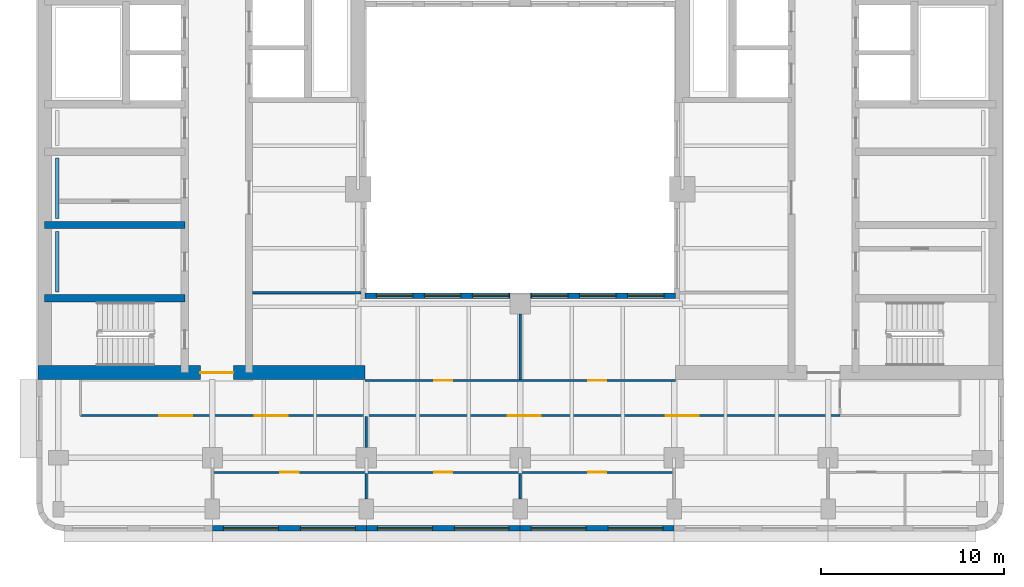
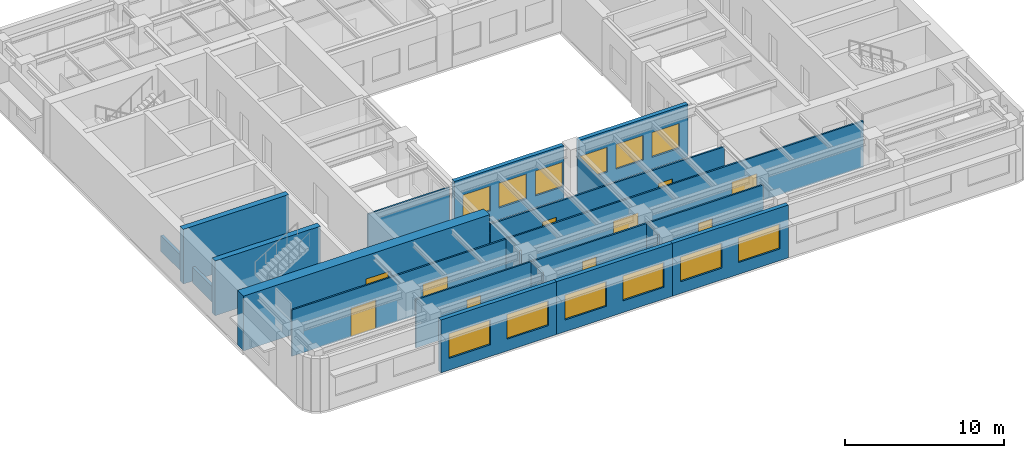
# One storey, part 3 of 11: 18 walls, 12 windows, 10 doors, 22 openings.
"""IFC4 building model written with IfcOpenShell, lengths in metres."""

import ifcopenshell
import ifcopenshell.guid

model = None  # the IFC model being written
_history = None  # IfcOwnerHistory: only IFC2X3 demands one
_inside = {}  # id of a spatial element -> (the spatial element, [elements in it])
_under = {}  # id of a project, library or spatial element -> (it, [spatial elements below it])
_declared = {}  # id of a project -> (the project, [libraries it declares])
_typed = {}  # id of a type object -> (the type object, [elements of that type])
_made_of = {}  # id of a material, layer set ... -> (it, [elements and type objects made of it])


def new_model(schema):
    """Start an empty IFC model of exactly this schema.

    Asked for "IFC4X3", IfcOpenShell would pick the latest addendum, in which some entities
    have other attributes; the version numbers below select the first issue.
    IFC2X3 requires an IfcOwnerHistory on every rooted entity: one is made here for all.
    """
    global model, _history
    if schema == "IFC4X3":
        model = ifcopenshell.file(schema_version=(4, 3, 0, 0))
    else:
        model = ifcopenshell.file(schema=schema)
    _inside.clear()
    _under.clear()
    _declared.clear()
    _typed.clear()
    _made_of.clear()
    _history = None
    if model.schema == "IFC2X3":
        org = make("IfcOrganization", Name="unknown")
        user = make(
            "IfcPersonAndOrganization",
            ThePerson=make("IfcPerson", FamilyName="unknown"),
            TheOrganization=org,
        )
        app = make(
            "IfcApplication",
            ApplicationDeveloper=org,
            Version="unknown",
            ApplicationFullName="unknown",
            ApplicationIdentifier="unknown",
        )
        _history = make(
            "IfcOwnerHistory",
            OwningUser=user,
            OwningApplication=app,
            ChangeAction="ADDED",
            CreationDate=0,
        )
    return model


def make(cls, **values):
    """One entity of the class cls with the attributes given. An attribute that is None is left unset."""
    return model.create_entity(
        cls, **{name: value for name, value in values.items() if value is not None}
    )


def rooted(cls, **values):
    """An entity with a GlobalId (a new one), such as an element, a storey or a relation."""
    return make(cls, GlobalId=ifcopenshell.guid.new(), OwnerHistory=_history, **values)


def si_unit(unit_type, name, prefix=None):
    """IfcSIUnit, for example si_unit("LENGTHUNIT", "METRE", prefix="MILLI")."""
    return make("IfcSIUnit", UnitType=unit_type, Prefix=prefix, Name=name)


def assignment(units):
    """IfcUnitAssignment: the units of a project."""
    return None if units is None else make("IfcUnitAssignment", Units=units)


def point(xyz):
    """IfcCartesianPoint."""
    return None if xyz is None else make("IfcCartesianPoint", Coordinates=xyz)


def direction(xyz):
    """IfcDirection."""
    return None if xyz is None else make("IfcDirection", DirectionRatios=xyz)


def frame(location, z_axis=None, x_axis=None):
    """IfcAxis2Placement3D, a coordinate frame: its origin and axes. An axis left out is left unset."""
    return make(
        "IfcAxis2Placement3D",
        Location=point(location),
        Axis=direction(z_axis),
        RefDirection=direction(x_axis),
    )


def frame_2d(location, x_axis=None):
    """IfcAxis2Placement2D, a coordinate frame in the plane: its origin and x axis."""
    return make(
        "IfcAxis2Placement2D", Location=point(location), RefDirection=direction(x_axis)
    )


def origin():
    """The frame at (0, 0, 0) with its axes left unset."""
    return frame((0.0, 0.0, 0.0))


def place(relative_to, where):
    """IfcLocalPlacement: puts the frame where relative to a parent placement (None: the world)."""
    return make(
        "IfcLocalPlacement", PlacementRelTo=relative_to, RelativePlacement=where
    )


def context(
    kind, dimensions, precision=None, world=None, true_north=None, identifier=None
):
    """IfcGeometricRepresentationContext, for example the 3D "Model" context."""
    return make(
        "IfcGeometricRepresentationContext",
        ContextIdentifier=identifier,
        ContextType=kind,
        CoordinateSpaceDimension=dimensions,
        Precision=precision,
        WorldCoordinateSystem=world,
        TrueNorth=true_north,
    )


def subcontext(parent, identifier, kind, view, scale=None):
    """IfcGeometricRepresentationSubContext, for example "Body" below "Model"."""
    return make(
        "IfcGeometricRepresentationSubContext",
        ContextIdentifier=identifier,
        ContextType=kind,
        ParentContext=parent,
        TargetScale=scale,
        TargetView=view,
    )


def project(units=None, contexts=None):
    """IfcProject with its units and contexts."""
    return rooted(
        "IfcProject",
        Name="project",
        RepresentationContexts=contexts,
        UnitsInContext=assignment(units),
    )


def spatial(cls, under=None, at=None, **own):
    """A site, building, storey or space (cls), placed at a placement, below another one or the project."""
    s = rooted(cls, ObjectPlacement=at, **own)
    if under is not None:
        _under.setdefault(under.id(), (under, []))[1].append(s)
    return s


def profile(cls, at=None, kind="AREA", **sizes):
    """A parametric profile (cls). Its sizes go by their IFC names, for example OverallWidth=200.0."""
    return make(cls, ProfileType=kind, Position=at, **sizes)


def rectangle(**sizes):
    """IfcRectangleProfileDef."""
    return profile("IfcRectangleProfileDef", **sizes)


def extrude(swept, where, along, depth):
    """IfcExtrudedAreaSolid: the profile swept, set in the frame where, extruded along a direction by depth."""
    return make(
        "IfcExtrudedAreaSolid",
        SweptArea=swept,
        Position=where,
        ExtrudedDirection=direction(along),
        Depth=depth,
    )


def shape(context_of_items, identifier, shape_type, items):
    """IfcShapeRepresentation: the items that make up one representation, for example the "Body"."""
    return make(
        "IfcShapeRepresentation",
        ContextOfItems=context_of_items,
        RepresentationIdentifier=identifier,
        RepresentationType=shape_type,
        Items=items,
    )


def material(Name=None, Category=None):
    """IfcMaterial."""
    return make("IfcMaterial", Name=Name, Category=Category)


def layer(
    of_material, thickness, ventilated=None, Name=None, Category=None, Priority=None
):
    """IfcMaterialLayer: one layer of a wall or slab, of a material (None: an air gap)."""
    return make(
        "IfcMaterialLayer",
        Material=of_material,
        LayerThickness=thickness,
        IsVentilated=ventilated,
        Name=Name,
        Category=Category,
        Priority=Priority,
    )


def layer_set(layers, Name=None):
    """IfcMaterialLayerSet."""
    return make("IfcMaterialLayerSet", MaterialLayers=layers, LayerSetName=Name)


def made_of(thing, what):
    """Note that an element or type object is made of a material, layer set ...; save() writes the relation."""
    if what is not None:
        _made_of.setdefault(what.id(), (what, []))[1].append(thing)
    return thing


def type_object(cls, material=None, **own):
    """A type object (cls), such as IfcWallType, which elements share."""
    return made_of(rooted(cls, **own), material)


def element(
    cls,
    number,
    at=None,
    inside=None,
    cuts=None,
    type_object=None,
    material=None,
    context=None,
    identifier="Body",
    shape_type=None,
    held_by="IfcProductDefinitionShape",
    body=None,
    shapes=None,
    **own,
):
    """One element of the class cls, such as IfcWall. Its Tag is "e" and its number.

    at: its placement. inside: the storey or other place that contains it. cuts: it is an
    opening in that element (IfcRelVoidsElement). A single representation is given by context,
    identifier, shape_type and body (its items); several are given by shapes. held_by: the class
    of the entity that holds the representations. save() writes the other relations.
    """
    e = rooted(cls, Tag="e%d" % number, ObjectPlacement=at, **own)
    if body is not None:
        shapes = [shape(context, identifier, shape_type, body)]
    if shapes is not None:
        e.Representation = make(held_by, Representations=shapes)
    if inside is not None:
        _inside.setdefault(inside.id(), (inside, []))[1].append(e)
    if cuts is not None:
        rooted(
            "IfcRelVoidsElement", RelatingBuildingElement=cuts, RelatedOpeningElement=e
        )
    if type_object is not None:
        _typed.setdefault(type_object.id(), (type_object, []))[1].append(e)
    return made_of(e, material)


def fill(opening, filler):
    """IfcRelFillsElement: the door or window that sits in an opening."""
    return rooted(
        "IfcRelFillsElement",
        RelatingOpeningElement=opening,
        RelatedBuildingElement=filler,
    )


def aggregate(whole, parts):
    """IfcRelAggregates: a whole, such as a stair, and the parts it consists of."""
    return rooted("IfcRelAggregates", RelatingObject=whole, RelatedObjects=parts)


def save(model, path):
    """Write the relations noted so far, then the file.

    IfcRelAggregates (storeys below a building ...), IfcRelContainedInSpatialStructure (elements
    in a storey), IfcRelDefinesByType, IfcRelAssociatesMaterial and IfcRelDeclares: one each for
    every whole, place, type object, material and project.
    """
    for whole, parts in _under.values():
        aggregate(whole, parts)
    for where, things in _inside.values():
        rooted(
            "IfcRelContainedInSpatialStructure",
            RelatedElements=things,
            RelatingStructure=where,
        )
    for kind, things in _typed.values():
        rooted("IfcRelDefinesByType", RelatedObjects=things, RelatingType=kind)
    for what, things in _made_of.values():
        rooted("IfcRelAssociatesMaterial", RelatedObjects=things, RelatingMaterial=what)
    for by, libraries in _declared.values():
        rooted("IfcRelDeclares", RelatingContext=by, RelatedDefinitions=libraries)
    model.write(path)


model = new_model("IFC4")

# Units and contexts
model_context = context("Model", 3, precision=1e-05, world=origin(), true_north=direction((0.0, 1.0)))
body_context = subcontext(model_context, "Body", "Model", "MODEL_VIEW")
ifc_project = project(units=[si_unit("LENGTHUNIT", "METRE"), si_unit("AREAUNIT", "SQUARE_METRE"), si_unit("VOLUMEUNIT", "CUBIC_METRE"), si_unit("PLANEANGLEUNIT", "RADIAN"), si_unit("MASSUNIT", "GRAM", prefix="KILO")], contexts=[model_context])

# Site, building, storey
site_placement = place(None, origin())
site = spatial("IfcSite", under=ifc_project, at=site_placement, CompositionType="ELEMENT")
building_placement = place(site_placement, origin())
building = spatial("IfcBuilding", under=site, at=building_placement, Name="Claustro Exchange Tower", CompositionType="ELEMENT")
storey_placement = place(building_placement, frame((0.0, 0.0, 215.39990234375)))
storey = spatial("IfcBuildingStorey", under=building, at=storey_placement, Name="L49", CompositionType="ELEMENT", Elevation=215.39990234375)

# Wall
ifc_material_1 = material(Name="Laminated glass in aluminium frame", Category="aluminium")
ifc_layer_1 = layer(ifc_material_1, 0.1201171875)
ifc_layer_set_1 = layer_set([ifc_layer_1], Name="Laminated glass in aluminium frame")
wall_type_1 = type_object("IfcWallType", Name="P2 120 glazed partition", PredefinedType="PARTITIONING", material=ifc_layer_set_1)
wall_1_placement = place(storey_placement, frame((10.597900390625, 17.39990234375, 0.0), z_axis=(0.0, 0.0, 1.0), x_axis=(1.0, 0.0, 0.0)))
element("IfcWall", 1, at=wall_1_placement, inside=storey, type_object=wall_type_1, Name="Partition P2 L49", PredefinedType="PARTITIONING", context=body_context, shape_type="SweptSolid", body=[
    extrude(rectangle(XDim=5.904052734375, YDim=0.1201171875, at=frame_2d((2.9521484375, 0.0))), origin(), (0.0, 0.0, 1.0), 3.550048828125),
])

# Wall, openings, doors
wall_2_placement = place(storey_placement, frame((8.39990234375, 7.60009765625, 0.0), z_axis=(0.0, 0.0, 1.0), x_axis=(1.0, 0.0, 0.0)))
wall_2 = element("IfcWall", 2, at=wall_2_placement, inside=storey, type_object=wall_type_1, Name="Partition P2 L49", PredefinedType="PARTITIONING", context=body_context, shape_type="SweptSolid", body=[
    extrude(rectangle(XDim=25.2001953125, YDim=0.1201171875, at=frame_2d((12.60009765625, 0.0))), origin(), (0.0, 0.0, 1.0), 3.690185546875),
])
opening_1_placement = place(wall_2_placement, frame((3.699951171875, 0.0, 0.0)))
opening_1 = element("IfcOpeningElement", 3, at=opening_1_placement, cuts=wall_2, Name="Opening D7", PredefinedType="OPENING", context=body_context, shape_type="SweptSolid", body=[
    extrude(rectangle(XDim=1.0, YDim=2.39990234375, at=frame_2d((0.5, 1.199951171875))), frame((0.0, 0.070068359375, 0.0), z_axis=(0.0, -1.0, 0.0), x_axis=(1.0, 0.0, 0.0)), (0.0, 0.0, 1.0), 0.14013671875),
])
opening_2_placement = place(wall_2_placement, frame((12.10009765625, 0.0, 0.0)))
opening_2 = element("IfcOpeningElement", 4, at=opening_2_placement, cuts=wall_2, Name="Opening D7", PredefinedType="OPENING", context=body_context, shape_type="SweptSolid", body=[
    extrude(rectangle(XDim=1.0, YDim=2.39990234375, at=frame_2d((0.5, 1.199951171875))), frame((0.0, 0.070068359375, 0.0), z_axis=(0.0, -1.0, 0.0), x_axis=(1.0, 0.0, 0.0)), (0.0, 0.0, 1.0), 0.14013671875),
])
opening_3_placement = place(wall_2_placement, frame((20.5, 0.0, 0.0)))
opening_3 = element("IfcOpeningElement", 5, at=opening_3_placement, cuts=wall_2, Name="Opening D7", PredefinedType="OPENING", context=body_context, shape_type="SweptSolid", body=[
    extrude(rectangle(XDim=1.0, YDim=2.39990234375, at=frame_2d((0.5, 1.199951171875))), frame((0.0, 0.070068359375, 0.0), z_axis=(0.0, -1.0, 0.0), x_axis=(1.0, 0.0, 0.0)), (0.0, 0.0, 1.0), 0.14013671875),
])
ifc_material_2 = material(Name="Glass door in aluminium frame", Category="aluminium")
door_type_1 = type_object("IfcDoorType", Name="D7 1000 x 2400 glazed door", OperationType="SINGLE_SWING_LEFT", PredefinedType="DOOR", material=ifc_material_2)
door_1_placement = place(opening_1_placement, frame((1.0, 0.0, 0.0), z_axis=(0.0, 0.0, 1.0), x_axis=(-1.0, 0.0, 0.0)))
door_1 = element("IfcDoor", 6, at=door_1_placement, inside=storey, type_object=door_type_1, Name="Door D7 L49", OperationType="SINGLE_SWING_RIGHT", OverallHeight=2.39990234375, OverallWidth=1.0, PredefinedType="DOOR", context=body_context, shape_type="SweptSolid", body=[
    extrude(rectangle(XDim=1.0, YDim=2.39990234375, at=frame_2d((0.5, 1.199951171875))), frame((0.0, 0.02490234375, 0.0), z_axis=(0.0, -1.0, 0.0), x_axis=(1.0, 0.0, 0.0)), (0.0, 0.0, 1.0), 0.050048828125),
])
fill(opening_1, door_1)
door_2_placement = place(opening_2_placement, frame((1.0, 0.0, 0.0), z_axis=(0.0, 0.0, 1.0), x_axis=(-1.0, 0.0, 0.0)))
door_2 = element("IfcDoor", 7, at=door_2_placement, inside=storey, type_object=door_type_1, Name="Door D7 L49", OperationType="SINGLE_SWING_LEFT", OverallHeight=2.39990234375, OverallWidth=1.0, PredefinedType="DOOR", context=body_context, shape_type="SweptSolid", body=[
    extrude(rectangle(XDim=1.0, YDim=2.39990234375, at=frame_2d((0.5, 1.199951171875))), frame((0.0, 0.02490234375, 0.0), z_axis=(0.0, -1.0, 0.0), x_axis=(1.0, 0.0, 0.0)), (0.0, 0.0, 1.0), 0.050048828125),
])
fill(opening_2, door_2)
door_3_placement = place(opening_3_placement, frame((1.0, 0.0, 0.0), z_axis=(0.0, 0.0, 1.0), x_axis=(-1.0, 0.0, 0.0)))
door_3 = element("IfcDoor", 8, at=door_3_placement, inside=storey, type_object=door_type_1, Name="Door D7 L49", OperationType="SINGLE_SWING_RIGHT", OverallHeight=2.39990234375, OverallWidth=1.0, PredefinedType="DOOR", context=body_context, shape_type="SweptSolid", body=[
    extrude(rectangle(XDim=1.0, YDim=2.39990234375, at=frame_2d((0.5, 1.199951171875))), frame((0.0, 0.02490234375, 0.0), z_axis=(0.0, -1.0, 0.0), x_axis=(1.0, 0.0, 0.0)), (0.0, 0.0, 1.0), 0.050048828125),
])
fill(opening_3, door_3)

# Walls
for number, where, z_axis, x_axis, name in (
    (9, (16.800048828125, 6.14892578125, 0.0), (0.0, 0.0, 1.0), (0.0, 1.0, 0.0), "Partition P2 L49"),
    (10, (25.199951171875, 6.14892578125, 0.0), (0.0, 0.0, 1.0), (0.0, 1.0, 0.0), "Partition P2 L49"),
):
    element("IfcWall", number, at=place(storey_placement, frame(where, z_axis=z_axis, x_axis=x_axis)), inside=storey, type_object=wall_type_1, Name=name, PredefinedType="PARTITIONING", context=body_context, shape_type="SweptSolid", body=[
        extrude(rectangle(XDim=1.39306640625, YDim=0.1201171875, at=frame_2d((0.696533203125, 0.0))), origin(), (0.0, 0.0, 1.0), 3.690185546875),
    ])
wall_3_placement = place(storey_placement, frame((16.800048828125, 8.948974609375, 0.0), z_axis=(0.0, 0.0, 1.0), x_axis=(0.0, 1.0, 0.0)))
element("IfcWall", 11, at=wall_3_placement, inside=storey, type_object=wall_type_1, Name="Partition P2 L49", PredefinedType="PARTITIONING", context=body_context, shape_type="SweptSolid", body=[
    extrude(rectangle(XDim=1.693115234375, YDim=0.1201171875, at=frame_2d((0.8466796875, 0.0))), origin(), (0.0, 0.0, 1.0), 3.690185546875),
])

# Wall, openings, doors
wall_4_placement = place(storey_placement, frame((1.199951171875, 10.699951171875, 0.0), z_axis=(0.0, 0.0, 1.0), x_axis=(1.0, 0.0, 0.0)))
wall_4 = element("IfcWall", 12, at=wall_4_placement, inside=storey, type_object=wall_type_1, Name="Partition P2 L49", PredefinedType="PARTITIONING", context=body_context, shape_type="SweptSolid", body=[
    extrude(rectangle(XDim=41.4521484375, YDim=0.1201171875, at=frame_2d((20.72607421875, 0.0))), origin(), (0.0, 0.0, 1.0), 3.550048828125),
])
opening_4_placement = place(wall_4_placement, frame((4.300048828125, 0.0, 0.0)))
opening_4 = element("IfcOpeningElement", 13, at=opening_4_placement, cuts=wall_4, Name="Opening D2", PredefinedType="OPENING", context=body_context, shape_type="SweptSolid", body=[
    extrude(rectangle(XDim=1.800048828125, YDim=2.199951171875, at=frame_2d((0.89990234375, 1.10009765625))), frame((0.0, 0.070068359375, 0.0), z_axis=(0.0, -1.0, 0.0), x_axis=(1.0, 0.0, 0.0)), (0.0, 0.0, 1.0), 0.14013671875),
])
opening_5_placement = place(wall_4_placement, frame((9.5, 0.0, 0.0)))
opening_5 = element("IfcOpeningElement", 14, at=opening_5_placement, cuts=wall_4, Name="Opening D2", PredefinedType="OPENING", context=body_context, shape_type="SweptSolid", body=[
    extrude(rectangle(XDim=1.800048828125, YDim=2.199951171875, at=frame_2d((0.89990234375, 1.10009765625))), frame((0.0, 0.070068359375, 0.0), z_axis=(0.0, -1.0, 0.0), x_axis=(1.0, 0.0, 0.0)), (0.0, 0.0, 1.0), 0.14013671875),
])
opening_6_placement = place(wall_4_placement, frame((23.316650390625, 0.0, 0.0)))
opening_6 = element("IfcOpeningElement", 15, at=opening_6_placement, cuts=wall_4, Name="Opening D2", PredefinedType="OPENING", context=body_context, shape_type="SweptSolid", body=[
    extrude(rectangle(XDim=1.800048828125, YDim=2.199951171875, at=frame_2d((0.89990234375, 1.10009765625))), frame((0.0, 0.070068359375, 0.0), z_axis=(0.0, -1.0, 0.0), x_axis=(1.0, 0.0, 0.0)), (0.0, 0.0, 1.0), 0.14013671875),
])
opening_7_placement = place(wall_4_placement, frame((31.933349609375, 0.0, 0.0)))
opening_7 = element("IfcOpeningElement", 16, at=opening_7_placement, cuts=wall_4, Name="Opening D2", PredefinedType="OPENING", context=body_context, shape_type="SweptSolid", body=[
    extrude(rectangle(XDim=1.800048828125, YDim=2.199951171875, at=frame_2d((0.89990234375, 1.10009765625))), frame((0.0, 0.070068359375, 0.0), z_axis=(0.0, -1.0, 0.0), x_axis=(1.0, 0.0, 0.0)), (0.0, 0.0, 1.0), 0.14013671875),
])
ifc_material_3 = material(Name="Timber door, oak veneer", Category="wood")
door_type_2 = type_object("IfcDoorType", Name="D2 1800 x 2200 double door", OperationType="DOUBLE_DOOR_SINGLE_SWING", PredefinedType="DOOR", material=ifc_material_3)
door_4_placement = place(opening_4_placement, frame((1.800048828125, 0.0, 0.0), z_axis=(0.0, 0.0, 1.0), x_axis=(-1.0, 0.0, 0.0)))
door_4 = element("IfcDoor", 17, at=door_4_placement, inside=storey, type_object=door_type_2, Name="Double door D2 L49", OperationType="DOUBLE_DOOR_SINGLE_SWING", OverallHeight=2.199951171875, OverallWidth=1.800048828125, PredefinedType="DOOR", context=body_context, shape_type="SweptSolid", body=[
    extrude(rectangle(XDim=1.800048828125, YDim=2.199951171875, at=frame_2d((0.89990234375, 1.10009765625))), frame((0.0, 0.02490234375, 0.0), z_axis=(0.0, -1.0, 0.0), x_axis=(1.0, 0.0, 0.0)), (0.0, 0.0, 1.0), 0.050048828125),
])
fill(opening_4, door_4)
door_5_placement = place(opening_5_placement, frame((1.800048828125, 0.0, 0.0), z_axis=(0.0, 0.0, 1.0), x_axis=(-1.0, 0.0, 0.0)))
door_5 = element("IfcDoor", 18, at=door_5_placement, inside=storey, type_object=door_type_2, Name="Double door D2 L49", OperationType="DOUBLE_DOOR_SINGLE_SWING", OverallHeight=2.199951171875, OverallWidth=1.800048828125, PredefinedType="DOOR", context=body_context, shape_type="SweptSolid", body=[
    extrude(rectangle(XDim=1.800048828125, YDim=2.199951171875, at=frame_2d((0.89990234375, 1.10009765625))), frame((0.0, 0.02490234375, 0.0), z_axis=(0.0, -1.0, 0.0), x_axis=(1.0, 0.0, 0.0)), (0.0, 0.0, 1.0), 0.050048828125),
])
fill(opening_5, door_5)
door_6_placement = place(opening_6_placement, frame((1.800048828125, 0.0, 0.0), z_axis=(0.0, 0.0, 1.0), x_axis=(-1.0, 0.0, 0.0)))
door_6 = element("IfcDoor", 19, at=door_6_placement, inside=storey, type_object=door_type_2, Name="Double door D2 L49", OperationType="DOUBLE_DOOR_SINGLE_SWING", OverallHeight=2.199951171875, OverallWidth=1.800048828125, PredefinedType="DOOR", context=body_context, shape_type="SweptSolid", body=[
    extrude(rectangle(XDim=1.800048828125, YDim=2.199951171875, at=frame_2d((0.89990234375, 1.10009765625))), frame((0.0, 0.02490234375, 0.0), z_axis=(0.0, -1.0, 0.0), x_axis=(1.0, 0.0, 0.0)), (0.0, 0.0, 1.0), 0.050048828125),
])
fill(opening_6, door_6)
door_7_placement = place(opening_7_placement, frame((1.800048828125, 0.0, 0.0), z_axis=(0.0, 0.0, 1.0), x_axis=(-1.0, 0.0, 0.0)))
door_7 = element("IfcDoor", 20, at=door_7_placement, inside=storey, type_object=door_type_2, Name="Double door D2 L49", OperationType="DOUBLE_DOOR_SINGLE_SWING", OverallHeight=2.199951171875, OverallWidth=1.800048828125, PredefinedType="DOOR", context=body_context, shape_type="SweptSolid", body=[
    extrude(rectangle(XDim=1.800048828125, YDim=2.199951171875, at=frame_2d((0.89990234375, 1.10009765625))), frame((0.0, 0.02490234375, 0.0), z_axis=(0.0, -1.0, 0.0), x_axis=(1.0, 0.0, 0.0)), (0.0, 0.0, 1.0), 0.050048828125),
])
fill(opening_7, door_7)

# Wall
wall_5_placement = place(storey_placement, frame((25.199951171875, 12.657958984375, 0.0), z_axis=(0.0, 0.0, 1.0), x_axis=(0.0, 1.0, 0.0)))
element("IfcWall", 21, at=wall_5_placement, inside=storey, type_object=wall_type_1, Name="Partition P2 L49", PredefinedType="PARTITIONING", context=body_context, shape_type="SweptSolid", body=[
    extrude(rectangle(XDim=3.593017578125, YDim=0.1201171875, at=frame_2d((1.79638671875, 0.0))), origin(), (0.0, 0.0, 1.0), 3.550048828125),
])

# Wall, openings, doors
wall_6_placement = place(storey_placement, frame((16.72509765625, 12.614990234375, 0.0), z_axis=(0.0, 0.0, 1.0), x_axis=(1.0, 0.0, 0.0)))
wall_6 = element("IfcWall", 22, at=wall_6_placement, inside=storey, type_object=wall_type_1, Name="Partition P2 L49", PredefinedType="PARTITIONING", context=body_context, shape_type="SweptSolid", body=[
    extrude(rectangle(XDim=16.949951171875, YDim=0.1201171875, at=frame_2d((8.47509765625, 0.0))), origin(), (0.0, 0.0, 1.0), 3.550048828125),
])
opening_8_placement = place(wall_6_placement, frame((3.77490234375, 0.0, 0.0)))
opening_8 = element("IfcOpeningElement", 23, at=opening_8_placement, cuts=wall_6, Name="Opening D7", PredefinedType="OPENING", context=body_context, shape_type="SweptSolid", body=[
    extrude(rectangle(XDim=1.0, YDim=2.39990234375, at=frame_2d((0.5, 1.199951171875))), frame((0.0, 0.070068359375, 0.0), z_axis=(0.0, -1.0, 0.0), x_axis=(1.0, 0.0, 0.0)), (0.0, 0.0, 1.0), 0.14013671875),
])
opening_9_placement = place(wall_6_placement, frame((12.175048828125, 0.0, 0.0)))
opening_9 = element("IfcOpeningElement", 24, at=opening_9_placement, cuts=wall_6, Name="Opening D7", PredefinedType="OPENING", context=body_context, shape_type="SweptSolid", body=[
    extrude(rectangle(XDim=1.0, YDim=2.39990234375, at=frame_2d((0.5, 1.199951171875))), frame((0.0, 0.070068359375, 0.0), z_axis=(0.0, -1.0, 0.0), x_axis=(1.0, 0.0, 0.0)), (0.0, 0.0, 1.0), 0.14013671875),
])
door_8_placement = place(opening_8_placement, origin())
door_8 = element("IfcDoor", 25, at=door_8_placement, inside=storey, type_object=door_type_1, Name="Door D7 L49", OperationType="SINGLE_SWING_RIGHT", OverallHeight=2.39990234375, OverallWidth=1.0, PredefinedType="DOOR", context=body_context, shape_type="SweptSolid", body=[
    extrude(rectangle(XDim=1.0, YDim=2.39990234375, at=frame_2d((0.5, 1.199951171875))), frame((0.0, 0.02490234375, 0.0), z_axis=(0.0, -1.0, 0.0), x_axis=(1.0, 0.0, 0.0)), (0.0, 0.0, 1.0), 0.050048828125),
])
fill(opening_8, door_8)
door_9_placement = place(opening_9_placement, origin())
door_9 = element("IfcDoor", 26, at=door_9_placement, inside=storey, type_object=door_type_1, Name="Door D7 L49", OperationType="SINGLE_SWING_RIGHT", OverallHeight=2.39990234375, OverallWidth=1.0, PredefinedType="DOOR", context=body_context, shape_type="SweptSolid", body=[
    extrude(rectangle(XDim=1.0, YDim=2.39990234375, at=frame_2d((0.5, 1.199951171875))), frame((0.0, 0.02490234375, 0.0), z_axis=(0.0, -1.0, 0.0), x_axis=(1.0, 0.0, 0.0)), (0.0, 0.0, 1.0), 0.050048828125),
])
fill(opening_9, door_9)

# Wall, openings, windows
ifc_material_4 = material(Name="Concrete HA-40 (C40/50), precast, white cement, acid-etched", Category="concrete")
ifc_layer_2 = layer(ifc_material_4, 0.300048828125)
ifc_layer_set_2 = layer_set([ifc_layer_2], Name="Concrete HA-40 (C40/50), precast, white cement, acid-etched")
wall_type_2 = type_object("IfcWallType", Name="PC1 300 precast concrete pier panel", PredefinedType="SOLIDWALL", material=ifc_layer_set_2)
wall_7_placement = place(storey_placement, frame((33.60009765625, 4.550048828125, 0.0), z_axis=(0.0, 0.0, 1.0), x_axis=(-1.0, 0.0, 0.0)))
wall_7 = element("IfcWall", 27, at=wall_7_placement, inside=storey, type_object=wall_type_2, Name="Precast pier panel PC1 L49", PredefinedType="SOLIDWALL", context=body_context, shape_type="SweptSolid", body=[
    extrude(rectangle(XDim=8.400146484375, YDim=0.300048828125, at=frame_2d((4.2001953125, 0.0))), origin(), (0.0, 0.0, 1.0), 4.050048828125),
])
opening_10_placement = place(wall_7_placement, frame((0.60009765625, 0.0, 0.89990234375)))
opening_10 = element("IfcOpeningElement", 28, at=opening_10_placement, cuts=wall_7, Name="Opening W1", PredefinedType="OPENING", context=body_context, shape_type="SweptSolid", body=[
    extrude(rectangle(XDim=3.0, YDim=1.89990234375, at=frame_2d((1.5, 0.949951171875))), frame((0.0, 0.159912109375, 0.0), z_axis=(0.0, -1.0, 0.0), x_axis=(1.0, 0.0, 0.0)), (0.0, 0.0, 1.0), 0.320068359375),
])
opening_11_placement = place(wall_7_placement, frame((4.800048828125, 0.0, 0.89990234375)))
opening_11 = element("IfcOpeningElement", 29, at=opening_11_placement, cuts=wall_7, Name="Opening W1", PredefinedType="OPENING", context=body_context, shape_type="SweptSolid", body=[
    extrude(rectangle(XDim=3.0, YDim=1.89990234375, at=frame_2d((1.5, 0.949951171875))), frame((0.0, 0.159912109375, 0.0), z_axis=(0.0, -1.0, 0.0), x_axis=(1.0, 0.0, 0.0)), (0.0, 0.0, 1.0), 0.320068359375),
])
ifc_material_5 = material(Name="Aluminium frame, clear double glazing", Category="aluminium")
window_type_1 = type_object("IfcWindowType", Name="W1 3000 x 1900 window", PartitioningType="SINGLE_PANEL", PredefinedType="WINDOW", material=ifc_material_5)
window_1_placement = place(opening_10_placement, origin())
window_1 = element("IfcWindow", 30, at=window_1_placement, inside=storey, type_object=window_type_1, Name="Window W1 L49", OverallHeight=1.89990234375, OverallWidth=3.0, PartitioningType="SINGLE_PANEL", PredefinedType="WINDOW", context=body_context, shape_type="SweptSolid", body=[
    extrude(rectangle(XDim=3.0, YDim=1.89990234375, at=frame_2d((1.5, 0.949951171875))), frame((0.0, 0.030029296875, 0.0), z_axis=(0.0, -1.0, 0.0), x_axis=(1.0, 0.0, 0.0)), (0.0, 0.0, 1.0), 0.06005859375),
])
fill(opening_10, window_1)
window_2_placement = place(opening_11_placement, origin())
window_2 = element("IfcWindow", 31, at=window_2_placement, inside=storey, type_object=window_type_1, Name="Window W1 L49", OverallHeight=1.89990234375, OverallWidth=3.0, PartitioningType="SINGLE_PANEL", PredefinedType="WINDOW", context=body_context, shape_type="SweptSolid", body=[
    extrude(rectangle(XDim=3.0, YDim=1.89990234375, at=frame_2d((1.5, 0.949951171875))), frame((0.0, 0.030029296875, 0.0), z_axis=(0.0, -1.0, 0.0), x_axis=(1.0, 0.0, 0.0)), (0.0, 0.0, 1.0), 0.06005859375),
])
fill(opening_11, window_2)

wall_8_placement = place(storey_placement, frame((25.199951171875, 4.550048828125, 0.0), z_axis=(0.0, 0.0, 1.0), x_axis=(-1.0, 0.0, 0.0)))
wall_8 = element("IfcWall", 32, at=wall_8_placement, inside=storey, type_object=wall_type_2, Name="Precast pier panel PC1 L49", PredefinedType="SOLIDWALL", context=body_context, shape_type="SweptSolid", body=[
    extrude(rectangle(XDim=8.39990234375, YDim=0.300048828125, at=frame_2d((4.199951171875, 0.0))), origin(), (0.0, 0.0, 1.0), 4.050048828125),
])
opening_12_placement = place(wall_8_placement, frame((0.60009765625, 0.0, 0.89990234375)))
opening_12 = element("IfcOpeningElement", 33, at=opening_12_placement, cuts=wall_8, Name="Opening W1", PredefinedType="OPENING", context=body_context, shape_type="SweptSolid", body=[
    extrude(rectangle(XDim=3.0, YDim=1.89990234375, at=frame_2d((1.5, 0.949951171875))), frame((0.0, 0.159912109375, 0.0), z_axis=(0.0, -1.0, 0.0), x_axis=(1.0, 0.0, 0.0)), (0.0, 0.0, 1.0), 0.320068359375),
])
opening_13_placement = place(wall_8_placement, frame((4.800048828125, 0.0, 0.89990234375)))
opening_13 = element("IfcOpeningElement", 34, at=opening_13_placement, cuts=wall_8, Name="Opening W1", PredefinedType="OPENING", context=body_context, shape_type="SweptSolid", body=[
    extrude(rectangle(XDim=3.0, YDim=1.89990234375, at=frame_2d((1.5, 0.949951171875))), frame((0.0, 0.159912109375, 0.0), z_axis=(0.0, -1.0, 0.0), x_axis=(1.0, 0.0, 0.0)), (0.0, 0.0, 1.0), 0.320068359375),
])
window_3_placement = place(opening_12_placement, origin())
window_3 = element("IfcWindow", 35, at=window_3_placement, inside=storey, type_object=window_type_1, Name="Window W1 L49", OverallHeight=1.89990234375, OverallWidth=3.0, PartitioningType="SINGLE_PANEL", PredefinedType="WINDOW", context=body_context, shape_type="SweptSolid", body=[
    extrude(rectangle(XDim=3.0, YDim=1.89990234375, at=frame_2d((1.5, 0.949951171875))), frame((0.0, 0.030029296875, 0.0), z_axis=(0.0, -1.0, 0.0), x_axis=(1.0, 0.0, 0.0)), (0.0, 0.0, 1.0), 0.06005859375),
])
fill(opening_12, window_3)
window_4_placement = place(opening_13_placement, origin())
window_4 = element("IfcWindow", 36, at=window_4_placement, inside=storey, type_object=window_type_1, Name="Window W1 L49", OverallHeight=1.89990234375, OverallWidth=3.0, PartitioningType="SINGLE_PANEL", PredefinedType="WINDOW", context=body_context, shape_type="SweptSolid", body=[
    extrude(rectangle(XDim=3.0, YDim=1.89990234375, at=frame_2d((1.5, 0.949951171875))), frame((0.0, 0.030029296875, 0.0), z_axis=(0.0, -1.0, 0.0), x_axis=(1.0, 0.0, 0.0)), (0.0, 0.0, 1.0), 0.06005859375),
])
fill(opening_13, window_4)

wall_9_placement = place(storey_placement, frame((16.800048828125, 4.550048828125, 0.0), z_axis=(0.0, 0.0, 1.0), x_axis=(-1.0, 0.0, 0.0)))
wall_9 = element("IfcWall", 37, at=wall_9_placement, inside=storey, type_object=wall_type_2, Name="Precast pier panel PC1 L49", PredefinedType="SOLIDWALL", context=body_context, shape_type="SweptSolid", body=[
    extrude(rectangle(XDim=8.400146484375, YDim=0.300048828125, at=frame_2d((4.2001953125, 0.0))), origin(), (0.0, 0.0, 1.0), 4.050048828125),
])
opening_14_placement = place(wall_9_placement, frame((0.60009765625, 0.0, 0.89990234375)))
opening_14 = element("IfcOpeningElement", 38, at=opening_14_placement, cuts=wall_9, Name="Opening W1", PredefinedType="OPENING", context=body_context, shape_type="SweptSolid", body=[
    extrude(rectangle(XDim=3.0, YDim=1.89990234375, at=frame_2d((1.5, 0.949951171875))), frame((0.0, 0.159912109375, 0.0), z_axis=(0.0, -1.0, 0.0), x_axis=(1.0, 0.0, 0.0)), (0.0, 0.0, 1.0), 0.320068359375),
])
opening_15_placement = place(wall_9_placement, frame((4.800048828125, 0.0, 0.89990234375)))
opening_15 = element("IfcOpeningElement", 39, at=opening_15_placement, cuts=wall_9, Name="Opening W1", PredefinedType="OPENING", context=body_context, shape_type="SweptSolid", body=[
    extrude(rectangle(XDim=3.0, YDim=1.89990234375, at=frame_2d((1.5, 0.949951171875))), frame((0.0, 0.159912109375, 0.0), z_axis=(0.0, -1.0, 0.0), x_axis=(1.0, 0.0, 0.0)), (0.0, 0.0, 1.0), 0.320068359375),
])
window_5_placement = place(opening_14_placement, origin())
window_5 = element("IfcWindow", 40, at=window_5_placement, inside=storey, type_object=window_type_1, Name="Window W1 L49", OverallHeight=1.89990234375, OverallWidth=3.0, PartitioningType="SINGLE_PANEL", PredefinedType="WINDOW", context=body_context, shape_type="SweptSolid", body=[
    extrude(rectangle(XDim=3.0, YDim=1.89990234375, at=frame_2d((1.5, 0.949951171875))), frame((0.0, 0.030029296875, 0.0), z_axis=(0.0, -1.0, 0.0), x_axis=(1.0, 0.0, 0.0)), (0.0, 0.0, 1.0), 0.06005859375),
])
fill(opening_14, window_5)
window_6_placement = place(opening_15_placement, origin())
window_6 = element("IfcWindow", 41, at=window_6_placement, inside=storey, type_object=window_type_1, Name="Window W1 L49", OverallHeight=1.89990234375, OverallWidth=3.0, PartitioningType="SINGLE_PANEL", PredefinedType="WINDOW", context=body_context, shape_type="SweptSolid", body=[
    extrude(rectangle(XDim=3.0, YDim=1.89990234375, at=frame_2d((1.5, 0.949951171875))), frame((0.0, 0.030029296875, 0.0), z_axis=(0.0, -1.0, 0.0), x_axis=(1.0, 0.0, 0.0)), (0.0, 0.0, 1.0), 0.06005859375),
])
fill(opening_15, window_6)

wall_10_placement = place(storey_placement, frame((16.72509765625, 17.25, 0.0), z_axis=(0.0, 0.0, 1.0), x_axis=(1.0, 0.0, 0.0)))
wall_10 = element("IfcWall", 42, at=wall_10_placement, inside=storey, type_object=wall_type_2, Name="Precast pier panel PC1 L49", PredefinedType="SOLIDWALL", context=body_context, shape_type="SweptSolid", body=[
    extrude(rectangle(XDim=7.9248046875, YDim=0.300048828125, at=frame_2d((3.96240234375, 0.0))), origin(), (0.0, 0.0, 1.0), 4.050048828125),
])
opening_16_placement = place(wall_10_placement, frame((0.61865234375, 0.0, 0.89990234375)))
opening_16 = element("IfcOpeningElement", 43, at=opening_16_placement, cuts=wall_10, Name="Opening W4", PredefinedType="OPENING", context=body_context, shape_type="SweptSolid", body=[
    extrude(rectangle(XDim=2.0, YDim=1.89990234375, at=frame_2d((1.0, 0.949951171875))), frame((0.0, 0.159912109375, 0.0), z_axis=(0.0, -1.0, 0.0), x_axis=(1.0, 0.0, 0.0)), (0.0, 0.0, 1.0), 0.320068359375),
])
opening_17_placement = place(wall_10_placement, frame((3.237548828125, 0.0, 0.89990234375)))
opening_17 = element("IfcOpeningElement", 44, at=opening_17_placement, cuts=wall_10, Name="Opening W4", PredefinedType="OPENING", context=body_context, shape_type="SweptSolid", body=[
    extrude(rectangle(XDim=2.0, YDim=1.89990234375, at=frame_2d((1.0, 0.949951171875))), frame((0.0, 0.159912109375, 0.0), z_axis=(0.0, -1.0, 0.0), x_axis=(1.0, 0.0, 0.0)), (0.0, 0.0, 1.0), 0.320068359375),
])
opening_18_placement = place(wall_10_placement, frame((5.856201171875, 0.0, 0.89990234375)))
opening_18 = element("IfcOpeningElement", 45, at=opening_18_placement, cuts=wall_10, Name="Opening W4", PredefinedType="OPENING", context=body_context, shape_type="SweptSolid", body=[
    extrude(rectangle(XDim=2.0, YDim=1.89990234375, at=frame_2d((1.0, 0.949951171875))), frame((0.0, 0.159912109375, 0.0), z_axis=(0.0, -1.0, 0.0), x_axis=(1.0, 0.0, 0.0)), (0.0, 0.0, 1.0), 0.320068359375),
])
ifc_material_6 = material(Name="Aluminium frame, clear double glazing", Category="aluminium")
window_type_2 = type_object("IfcWindowType", Name="W4 2000 x 1900 light well window", PartitioningType="SINGLE_PANEL", PredefinedType="WINDOW", material=ifc_material_6)
window_7_placement = place(opening_16_placement, origin())
window_7 = element("IfcWindow", 46, at=window_7_placement, inside=storey, type_object=window_type_2, Name="Window W4 L49", OverallHeight=1.89990234375, OverallWidth=2.0, PartitioningType="SINGLE_PANEL", PredefinedType="WINDOW", context=body_context, shape_type="SweptSolid", body=[
    extrude(rectangle(XDim=2.0, YDim=1.89990234375, at=frame_2d((1.0, 0.949951171875))), frame((0.0, 0.030029296875, 0.0), z_axis=(0.0, -1.0, 0.0), x_axis=(1.0, 0.0, 0.0)), (0.0, 0.0, 1.0), 0.06005859375),
])
fill(opening_16, window_7)
window_8_placement = place(opening_17_placement, origin())
window_8 = element("IfcWindow", 47, at=window_8_placement, inside=storey, type_object=window_type_2, Name="Window W4 L49", OverallHeight=1.89990234375, OverallWidth=2.0, PartitioningType="SINGLE_PANEL", PredefinedType="WINDOW", context=body_context, shape_type="SweptSolid", body=[
    extrude(rectangle(XDim=2.0, YDim=1.89990234375, at=frame_2d((1.0, 0.949951171875))), frame((0.0, 0.030029296875, 0.0), z_axis=(0.0, -1.0, 0.0), x_axis=(1.0, 0.0, 0.0)), (0.0, 0.0, 1.0), 0.06005859375),
])
fill(opening_17, window_8)
window_9_placement = place(opening_18_placement, origin())
window_9 = element("IfcWindow", 48, at=window_9_placement, inside=storey, type_object=window_type_2, Name="Window W4 L49", OverallHeight=1.89990234375, OverallWidth=2.0, PartitioningType="SINGLE_PANEL", PredefinedType="WINDOW", context=body_context, shape_type="SweptSolid", body=[
    extrude(rectangle(XDim=2.0, YDim=1.89990234375, at=frame_2d((1.0, 0.949951171875))), frame((0.0, 0.030029296875, 0.0), z_axis=(0.0, -1.0, 0.0), x_axis=(1.0, 0.0, 0.0)), (0.0, 0.0, 1.0), 0.06005859375),
])
fill(opening_18, window_9)

wall_11_placement = place(storey_placement, frame((25.75, 17.25, 0.0), z_axis=(0.0, 0.0, 1.0), x_axis=(1.0, 0.0, 0.0)))
wall_11 = element("IfcWall", 49, at=wall_11_placement, inside=storey, type_object=wall_type_2, Name="Precast pier panel PC1 L49", PredefinedType="SOLIDWALL", context=body_context, shape_type="SweptSolid", body=[
    extrude(rectangle(XDim=7.925048828125, YDim=0.300048828125, at=frame_2d((3.96240234375, 0.0))), origin(), (0.0, 0.0, 1.0), 4.050048828125),
])
opening_19_placement = place(wall_11_placement, frame((0.068603515625, 0.0, 0.89990234375)))
opening_19 = element("IfcOpeningElement", 50, at=opening_19_placement, cuts=wall_11, Name="Opening W4", PredefinedType="OPENING", context=body_context, shape_type="SweptSolid", body=[
    extrude(rectangle(XDim=2.0, YDim=1.89990234375, at=frame_2d((1.0, 0.949951171875))), frame((0.0, 0.159912109375, 0.0), z_axis=(0.0, -1.0, 0.0), x_axis=(1.0, 0.0, 0.0)), (0.0, 0.0, 1.0), 0.320068359375),
])
opening_20_placement = place(wall_11_placement, frame((2.6875, 0.0, 0.89990234375)))
opening_20 = element("IfcOpeningElement", 51, at=opening_20_placement, cuts=wall_11, Name="Opening W4", PredefinedType="OPENING", context=body_context, shape_type="SweptSolid", body=[
    extrude(rectangle(XDim=2.0, YDim=1.89990234375, at=frame_2d((1.0, 0.949951171875))), frame((0.0, 0.159912109375, 0.0), z_axis=(0.0, -1.0, 0.0), x_axis=(1.0, 0.0, 0.0)), (0.0, 0.0, 1.0), 0.320068359375),
])
opening_21_placement = place(wall_11_placement, frame((5.30615234375, 0.0, 0.89990234375)))
opening_21 = element("IfcOpeningElement", 52, at=opening_21_placement, cuts=wall_11, Name="Opening W4", PredefinedType="OPENING", context=body_context, shape_type="SweptSolid", body=[
    extrude(rectangle(XDim=2.0, YDim=1.89990234375, at=frame_2d((1.0, 0.949951171875))), frame((0.0, 0.159912109375, 0.0), z_axis=(0.0, -1.0, 0.0), x_axis=(1.0, 0.0, 0.0)), (0.0, 0.0, 1.0), 0.320068359375),
])
window_10_placement = place(opening_19_placement, origin())
window_10 = element("IfcWindow", 53, at=window_10_placement, inside=storey, type_object=window_type_2, Name="Window W4 L49", OverallHeight=1.89990234375, OverallWidth=2.0, PartitioningType="SINGLE_PANEL", PredefinedType="WINDOW", context=body_context, shape_type="SweptSolid", body=[
    extrude(rectangle(XDim=2.0, YDim=1.89990234375, at=frame_2d((1.0, 0.949951171875))), frame((0.0, 0.030029296875, 0.0), z_axis=(0.0, -1.0, 0.0), x_axis=(1.0, 0.0, 0.0)), (0.0, 0.0, 1.0), 0.06005859375),
])
fill(opening_19, window_10)
window_11_placement = place(opening_20_placement, origin())
window_11 = element("IfcWindow", 54, at=window_11_placement, inside=storey, type_object=window_type_2, Name="Window W4 L49", OverallHeight=1.89990234375, OverallWidth=2.0, PartitioningType="SINGLE_PANEL", PredefinedType="WINDOW", context=body_context, shape_type="SweptSolid", body=[
    extrude(rectangle(XDim=2.0, YDim=1.89990234375, at=frame_2d((1.0, 0.949951171875))), frame((0.0, 0.030029296875, 0.0), z_axis=(0.0, -1.0, 0.0), x_axis=(1.0, 0.0, 0.0)), (0.0, 0.0, 1.0), 0.06005859375),
])
fill(opening_20, window_11)
window_12_placement = place(opening_21_placement, origin())
window_12 = element("IfcWindow", 55, at=window_12_placement, inside=storey, type_object=window_type_2, Name="Window W4 L49", OverallHeight=1.89990234375, OverallWidth=2.0, PartitioningType="SINGLE_PANEL", PredefinedType="WINDOW", context=body_context, shape_type="SweptSolid", body=[
    extrude(rectangle(XDim=2.0, YDim=1.89990234375, at=frame_2d((1.0, 0.949951171875))), frame((0.0, 0.030029296875, 0.0), z_axis=(0.0, -1.0, 0.0), x_axis=(1.0, 0.0, 0.0)), (0.0, 0.0, 1.0), 0.06005859375),
])
fill(opening_21, window_12)

# Walls
ifc_material_7 = material(Name="Gypsum board on steel studs, tiled", Category="steel")
ifc_layer_3 = layer(ifc_material_7, 0.199951171875)
ifc_layer_set_3 = layer_set([ifc_layer_3], Name="Gypsum board on steel studs, tiled")
wall_type_3 = type_object("IfcWallType", Name="PW1 200 WC duct wall", PredefinedType="PLUMBINGWALL", material=ifc_layer_set_3)
for number, where, z_axis, x_axis, name in (
    (56, (-0.074951171875, 17.449951171875, 0.0), (0.0, 0.0, 1.0), (0.0, 1.0, 0.0), "WC duct wall PW1 L49"),
    (57, (-0.074951171875, 21.449951171875, 0.0), (0.0, 0.0, 1.0), (0.0, 1.0, 0.0), "WC duct wall PW1 L49"),
):
    element("IfcWall", number, at=place(storey_placement, frame(where, z_axis=z_axis, x_axis=x_axis)), inside=storey, type_object=wall_type_3, Name=name, PredefinedType="PLUMBINGWALL", context=body_context, shape_type="SweptSolid", body=[
        extrude(rectangle(XDim=3.300048828125, YDim=0.199951171875, at=frame_2d((1.64990234375, 0.0))), origin(), (0.0, 0.0, 1.0), 1.2001953125),
    ])

# Wall, opening, door
ifc_material_8 = material(Name="Concrete HA-70 (C70/85)", Category="concrete")
ifc_layer_4 = layer(ifc_material_8, 0.75)
ifc_layer_set_4 = layer_set([ifc_layer_4], Name="Concrete HA-70 (C70/85)")
wall_type_4 = type_object("IfcWallType", Name="SW2 750 core shear wall", PredefinedType="SHEAR", material=ifc_layer_set_4)
wall_12_placement = place(storey_placement, frame((-1.125, 13.050048828125, 0.0), z_axis=(0.0, 0.0, 1.0), x_axis=(1.0, 0.0, 0.0)))
wall_12 = element("IfcWall", 58, at=wall_12_placement, inside=storey, type_object=wall_type_4, Name="Core wall SW2 W core S face L49", PredefinedType="SHEAR", context=body_context, shape_type="SweptSolid", body=[
    extrude(rectangle(XDim=17.85009765625, YDim=0.75, at=frame_2d((8.925048828125, 0.0))), origin(), (0.0, 0.0, 1.0), 4.2001953125),
])
opening_22_placement = place(wall_12_placement, frame((8.875, 0.0, 0.0)))
opening_22 = element("IfcOpeningElement", 59, at=opening_22_placement, cuts=wall_12, Name="Opening D3", PredefinedType="OPENING", context=body_context, shape_type="SweptSolid", body=[
    extrude(rectangle(XDim=1.800048828125, YDim=2.39990234375, at=frame_2d((0.89990234375, 1.199951171875))), frame((0.0, 0.385009765625, 0.0), z_axis=(0.0, -1.0, 0.0), x_axis=(1.0, 0.0, 0.0)), (0.0, 0.0, 1.0), 0.77001953125),
])
ifc_material_9 = material(Name="Steel fire door, painted", Category="steel")
door_type_3 = type_object("IfcDoorType", Name="D3 1800 x 2400 fire-rated lobby double door", OperationType="DOUBLE_DOOR_SINGLE_SWING", PredefinedType="DOOR", material=ifc_material_9)
door_10_placement = place(opening_22_placement, origin())
door_10 = element("IfcDoor", 60, at=door_10_placement, inside=storey, type_object=door_type_3, Name="Lift lobby door D3 L49", OperationType="DOUBLE_DOOR_SINGLE_SWING", OverallHeight=2.39990234375, OverallWidth=1.800048828125, PredefinedType="DOOR", context=body_context, shape_type="SweptSolid", body=[
    extrude(rectangle(XDim=1.800048828125, YDim=2.39990234375, at=frame_2d((0.89990234375, 1.199951171875))), frame((0.0, 0.02490234375, 0.0), z_axis=(0.0, -1.0, 0.0), x_axis=(1.0, 0.0, 0.0)), (0.0, 0.0, 1.0), 0.050048828125),
])
fill(opening_22, door_10)

# Walls
ifc_material_10 = material(Name="Concrete HA-50 (C50/60)", Category="concrete")
ifc_layer_5 = layer(ifc_material_10, 0.39990234375)
ifc_layer_set_5 = layer_set([ifc_layer_5], Name="Concrete HA-50 (C50/60)")
wall_type_5 = type_object("IfcWallType", Name="SW4 400 internal core wall", PredefinedType="SHEAR", material=ifc_layer_set_5)
for number, where, z_axis, x_axis, name in (
    (61, (-0.75, 17.10009765625, 0.0), (0.0, 0.0, 1.0), (1.0, 0.0, 0.0), "Internal core wall SW4 W core L49"),
    (62, (-0.75, 21.10009765625, 0.0), (0.0, 0.0, 1.0), (1.0, 0.0, 0.0), "Internal core wall SW4 W core L49"),
):
    element("IfcWall", number, at=place(storey_placement, frame(where, z_axis=z_axis, x_axis=x_axis)), inside=storey, type_object=wall_type_5, Name=name, PredefinedType="SHEAR", context=body_context, shape_type="SweptSolid", body=[
        extrude(rectangle(XDim=7.64990234375, YDim=0.39990234375, at=frame_2d((3.824951171875, 0.0))), origin(), (0.0, 0.0, 1.0), 4.2001953125),
    ])

save(model, "model.ifc")
